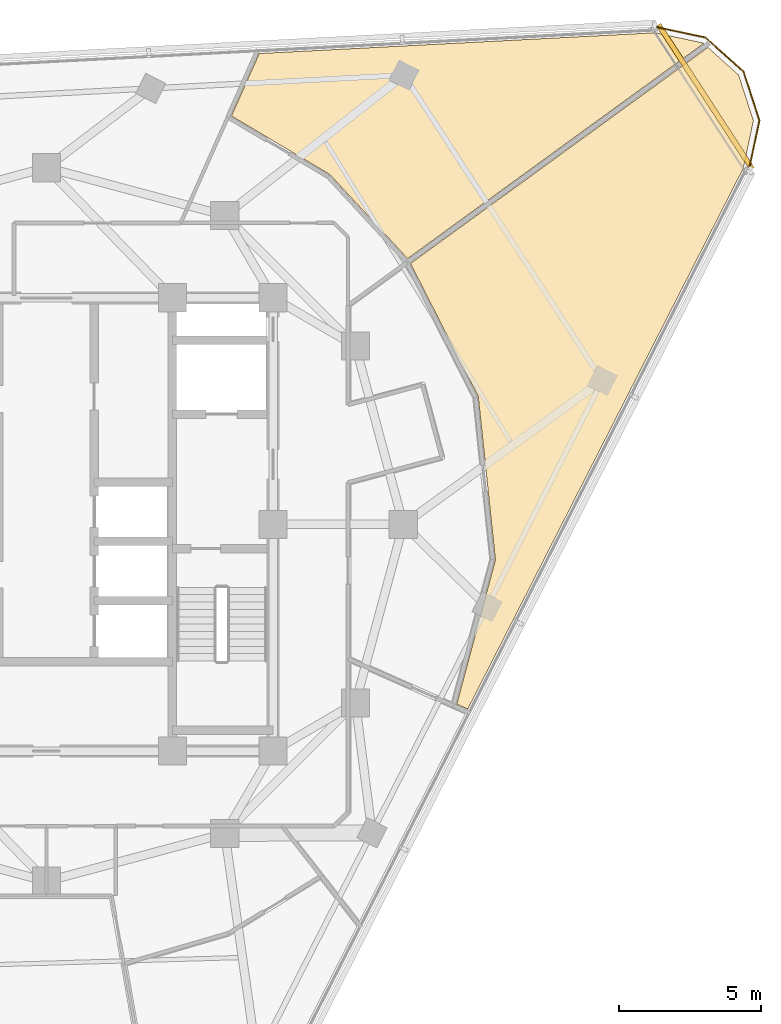
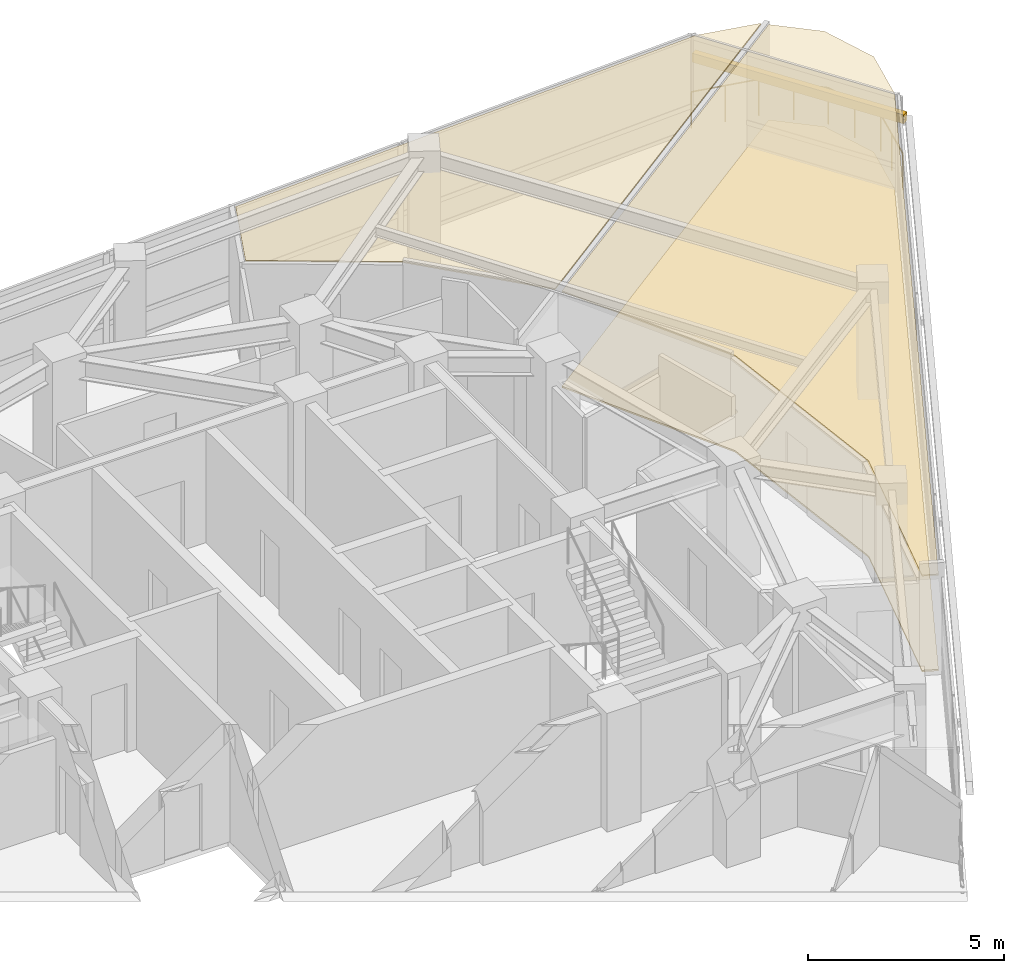
# One storey, part 15 of 15: 3 coverings, 1 railing, 1 shading device.
"""IFC4 building model written with IfcOpenShell, lengths in metres."""

from ifc_helpers import new_model, si_unit, direction, frame, origin, origin_2d, place, context, subcontext, project, spatial, polyline, rectangle, circle, outline, extrude, material, layer, layer_set, type_object, element, save


model = new_model("IFC4")

# Units and contexts
model_context = context("Model", 3, precision=1e-05, world=origin(), true_north=direction((0.0, 1.0)))
body_context = subcontext(model_context, "Body", "Model", "MODEL_VIEW")
ifc_project = project(units=[si_unit("LENGTHUNIT", "METRE"), si_unit("AREAUNIT", "SQUARE_METRE"), si_unit("VOLUMEUNIT", "CUBIC_METRE"), si_unit("PLANEANGLEUNIT", "RADIAN"), si_unit("MASSUNIT", "GRAM", prefix="KILO")], contexts=[model_context])

# Site, building, storey
site_placement = place(None, origin())
site = spatial("IfcSite", under=ifc_project, at=site_placement, CompositionType="ELEMENT")
building_placement = place(site_placement, origin())
building = spatial("IfcBuilding", under=site, at=building_placement, Name="Terralouvre Media Tower", CompositionType="ELEMENT")
storey_placement = place(building_placement, frame((0.0, 0.0, 248.5)))
storey = spatial("IfcBuildingStorey", under=building, at=storey_placement, Name="L64", CompositionType="ELEMENT", Elevation=248.5)

# Coverings
ifc_material_1 = material(Name="Resilient elastomer acoustic broadcast studio flooring")
ifc_layer_1 = layer(ifc_material_1, 0.050048828125, Name="Broadcast Studio Acoustic Floating Floor FL-AC1")
ifc_layer_set_1 = layer_set([ifc_layer_1], Name="Resilient elastomer acoustic broadcast studio flooring")
covering_type_1 = type_object("IfcCoveringType", Name="Broadcast Studio Acoustic Floating Floor FL-AC1", PredefinedType="FLOORING", material=ifc_layer_set_1)
covering_1_placement = place(storey_placement, frame((0.0, 0.0, 0.0), z_axis=(0.0, 0.0, 1.0), x_axis=(0.45399049974, 0.891006524188, 0.0)))
element("IfcCovering", 1, at=covering_1_placement, inside=storey, type_object=covering_type_1, Name="L64 Chamber Rehearsal Creative Workshop 7 Acoustic Floating Floor", PredefinedType="FLOORING", context=body_context, shape_type="SweptSolid", body=[
    extrude(outline(polyline([(10.956298828125, -11.51953125), (10.95068359375, -11.52685546875), (10.9443359375, -11.533447265625), (10.937255859375, -11.539306640625), (10.929931640625, -11.544677734375), (6.1005859375, -14.68115234375), (6.092529296875, -14.685791015625), (6.084228515625, -14.689453125), (6.07568359375, -14.692626953125), (6.066650390625, -14.695068359375), (0.92724609375, -15.78759765625), (0.949951171875, -16.212646484375), (22.371337890625, -16.212646484375), (24.036376953125, -15.766845703125), (25.234130859375, -14.569091796875), (25.611083984375, -13.16162109375), (14.04541015625, -7.2685546875), (10.956298828125, -11.51953125)])), origin(), (0.0, 0.0, 1.0), 0.050048828125),
])
ifc_material_2 = material(Name="Perforated aluminium acoustic ceiling baffle", Category="aluminium")
ifc_layer_2 = layer(ifc_material_2, 0.0400390625, Name="Perforated Acoustic Metal Tile Ceiling CL-AC1")
ifc_layer_set_2 = layer_set([ifc_layer_2], Name="Perforated aluminium acoustic ceiling baffle")
covering_type_2 = type_object("IfcCoveringType", Name="Perforated Acoustic Metal Tile Ceiling CL-AC1", PredefinedType="CEILING", material=ifc_layer_set_2)
covering_2_placement = place(storey_placement, frame((0.0, 0.0, 2.97998046875), z_axis=(0.0, 0.0, 1.0), x_axis=(0.45399049974, 0.891006524188, 0.0)))
element("IfcCovering", 2, at=covering_2_placement, inside=storey, type_object=covering_type_2, Name="L64 Chamber Rehearsal Creative Workshop 7 Acoustic Ceiling", PredefinedType="CEILING", context=body_context, shape_type="SweptSolid", body=[
    extrude(outline(polyline([(10.956298828125, -11.51953125), (10.95068359375, -11.52685546875), (10.9443359375, -11.533447265625), (10.937255859375, -11.539306640625), (10.929931640625, -11.544677734375), (6.1005859375, -14.68115234375), (6.092529296875, -14.685791015625), (6.084228515625, -14.689453125), (6.07568359375, -14.692626953125), (6.066650390625, -14.695068359375), (0.92724609375, -15.78759765625), (0.949951171875, -16.212646484375), (22.371337890625, -16.212646484375), (24.036376953125, -15.766845703125), (25.234130859375, -14.569091796875), (25.611083984375, -13.16162109375), (14.04541015625, -7.2685546875), (10.956298828125, -11.51953125)])), origin(), (0.0, 0.0, 1.0), 0.0400390625),
])
covering_3_placement = place(storey_placement, frame((0.0, 0.0, 2.97998046875), z_axis=(0.0, 0.0, 1.0), x_axis=(0.45399049974, 0.891006524188, 0.0)))
element("IfcCovering", 3, at=covering_3_placement, inside=storey, type_object=covering_type_2, Name="L64 Publishing Production Workspace 8 Acoustic Ceiling", PredefinedType="CEILING", context=body_context, shape_type="SweptSolid", body=[
    extrude(outline(polyline([(15.554443359375, -3.291259765625), (15.55322265625, -3.30078125), (15.551513671875, -3.310302734375), (15.548583984375, -3.3193359375), (14.154296875, -7.099365234375), (25.663818359375, -12.9638671875), (25.672119140625, -12.932861328125), (25.226318359375, -11.267578125), (18.22705078125, 0.8544921875), (15.817626953125, 0.72900390625), (15.554443359375, -3.291259765625)])), origin(), (0.0, 0.0, 1.0), 0.0400390625),
])

# Railing
ifc_material_3 = material(Name="Stainless steel 316 handrail and balustrade", Category="steel")
ifc_layer_3 = layer(ifc_material_3, 0.06005859375, Name="Roof Edge Safety Guardrail GR-ROOF1")
ifc_layer_set_3 = layer_set([ifc_layer_3], Name="Stainless steel 316 handrail and balustrade")
railing_type = type_object("IfcRailingType", Name="Roof Edge Safety Guardrail GR-ROOF1", PredefinedType="GUARDRAIL", material=ifc_layer_set_3)
railing_placement = place(storey_placement, frame((24.797607421875, 12.491455078125, 0.0)))
element("IfcRailing", 4, at=railing_placement, inside=storey, type_object=railing_type, Name="L64 Wind-Corner Perimeter Safety Guardrail C1", PredefinedType="GUARDRAIL", context=body_context, shape_type="SweptSolid", body=[
    extrude(circle(Radius=0.02099609375, at=origin_2d()), frame((0.0, 0.0, 1.12890625), z_axis=(0.208129595218, 0.978101258354, 0.0), x_axis=(-0.978101258354, 0.208129595218, 0.0)), (0.0, 0.0, 1.0), 1.81103515625),
    extrude(circle(Radius=0.02099609375, at=origin_2d()), frame((0.376953125, 1.771484375, 1.12890625), z_axis=(-0.308857436997, 0.951108344833, 0.0), x_axis=(-0.951108344833, -0.308857436997, 0.0)), (0.0, 0.0, 1.0), 1.81103515625),
    extrude(circle(Radius=0.02099609375, at=origin_2d()), frame((-0.182373046875, 3.493896484375, 1.12890625), z_axis=(-0.743274034333, 0.668987077518, 0.0), x_axis=(-0.668987077518, -0.743274034333, 0.0)), (0.0, 0.0, 1.0), 1.810791015625),
    extrude(circle(Radius=0.02099609375, at=origin_2d()), frame((-1.5283203125, 4.705322265625, 1.12890625), z_axis=(-0.97818932942, 0.207715275821, 0.0), x_axis=(-0.207715275821, -0.97818932942, 0.0)), (0.0, 0.0, 1.0), 1.811279296875),
    extrude(circle(Radius=0.01904296875, at=origin_2d()), origin(), (0.0, 0.0, 1.0), 1.10791015625),
    extrude(circle(Radius=0.01904296875, at=origin_2d()), frame((0.1884765625, 0.8857421875, 0.0)), (0.0, 0.0, 1.0), 1.10791015625),
    extrude(circle(Radius=0.01904296875, at=origin_2d()), frame((0.376953125, 1.771484375, 0.0)), (0.0, 0.0, 1.0), 1.10791015625),
    extrude(circle(Radius=0.01904296875, at=origin_2d()), frame((0.09716796875, 2.6328125, 0.0)), (0.0, 0.0, 1.0), 1.10791015625),
    extrude(circle(Radius=0.01904296875, at=origin_2d()), frame((-0.182373046875, 3.493896484375, 0.0)), (0.0, 0.0, 1.0), 1.10791015625),
    extrude(circle(Radius=0.01904296875, at=origin_2d()), frame((-0.85546875, 4.099609375, 0.0)), (0.0, 0.0, 1.0), 1.10791015625),
    extrude(circle(Radius=0.01904296875, at=origin_2d()), frame((-1.5283203125, 4.705322265625, 0.0)), (0.0, 0.0, 1.0), 1.10791015625),
    extrude(circle(Radius=0.01904296875, at=origin_2d()), frame((-2.4140625, 4.8935546875, 0.0)), (0.0, 0.0, 1.0), 1.10791015625),
    extrude(circle(Radius=0.01904296875, at=origin_2d()), frame((-3.300048828125, 5.08154296875, 0.0)), (0.0, 0.0, 1.0), 1.10791015625),
])

# Shading device
ifc_material_4 = material(Name="Extruded terracotta baguette sunshade louvres", Category="masonry")
shading_device_type = type_object("IfcShadingDeviceType", Name="Terracotta Baguette Sunshade Louvre Screen TB-LV1", PredefinedType="USERDEFINED", material=ifc_material_4)
shading_device_placement = place(storey_placement, frame((23.2607421875, 15.105712890625, 2.02392578125), z_axis=(0.0, 0.0, 1.0), x_axis=(-0.544639197097, 0.838670462688, 0.0)))
element("IfcShadingDevice", 5, at=shading_device_placement, inside=storey, type_object=shading_device_type, Name="CW-L64-C1 Terracotta Baguette Sunshade Louvre", ObjectType="BAGUETTE", PredefinedType="USERDEFINED", context=body_context, shape_type="SweptSolid", body=[
    extrude(rectangle(XDim=6.062255859375, YDim=0.179931640625, at=origin_2d()), origin(), (0.0, 0.0, 1.0), 0.280029296875),
])

save(model, "model.ifc")
